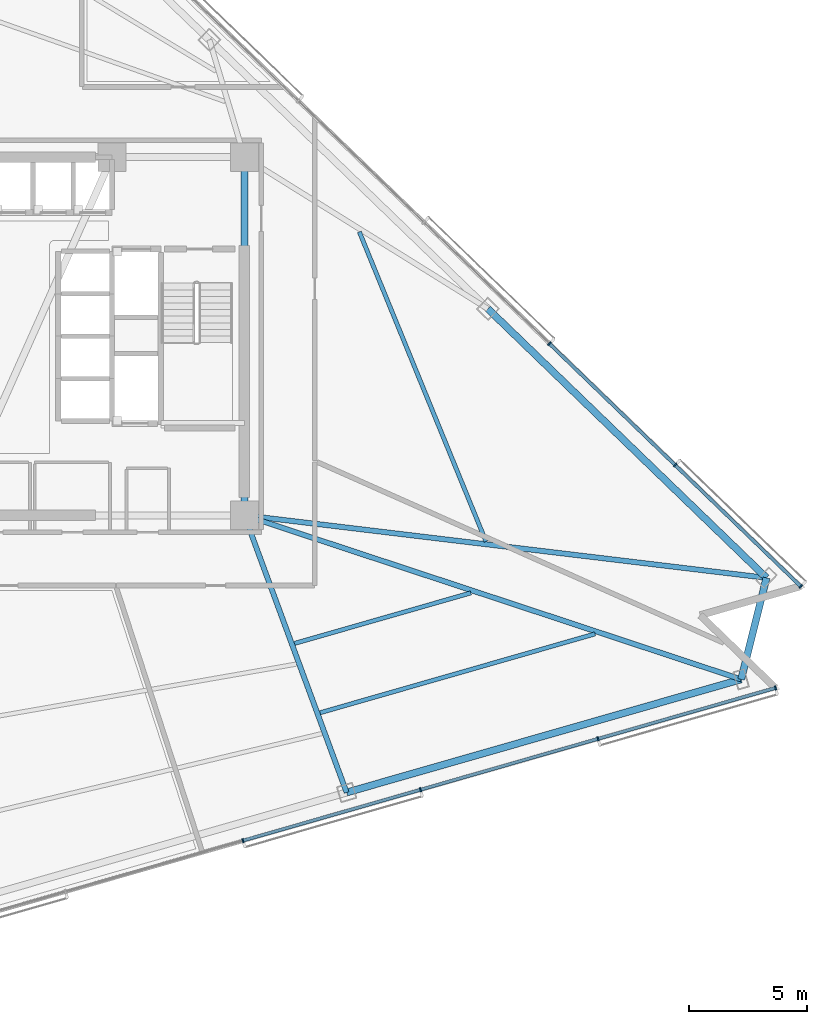
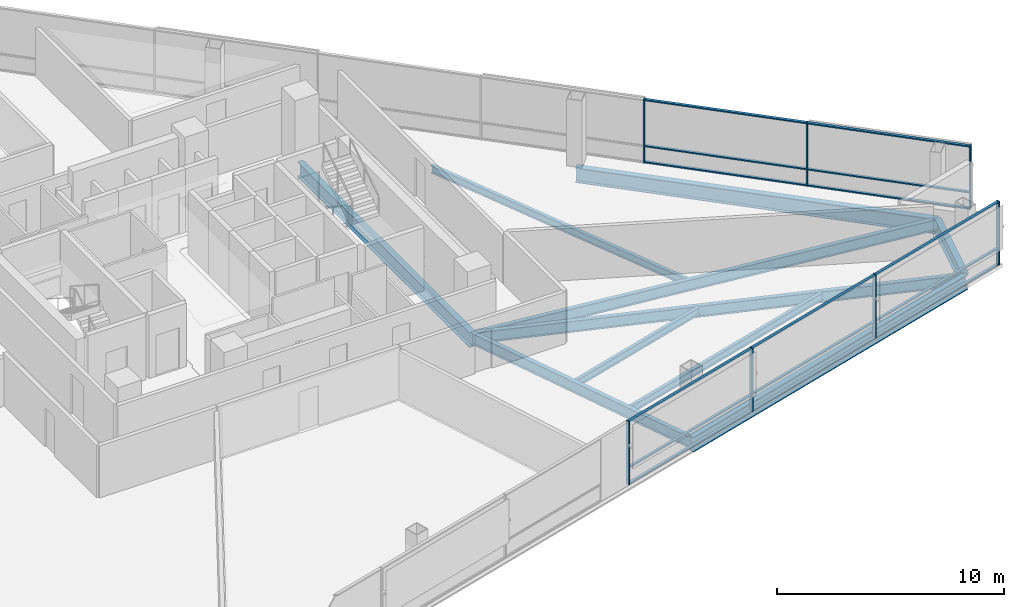
# One storey, part 5 of 17: 22 members, 10 beams, 2 elements without a shape of their own.
"""IFC4 building model written with IfcOpenShell, lengths in metres."""

from ifc_helpers import new_model, si_unit, direction, frame, origin, origin_2d, place, context, subcontext, project, spatial, rectangle, i_section, extrude, material, layer, layer_set, material_profile, profile_set, type_object, element, aggregate, save


model = new_model("IFC4")

# Units and contexts
model_context = context("Model", 3, precision=1e-05, world=origin(), true_north=direction((0.0, 1.0)))
body_context = subcontext(model_context, "Body", "Model", "MODEL_VIEW")
ifc_project = project(units=[si_unit("LENGTHUNIT", "METRE"), si_unit("AREAUNIT", "SQUARE_METRE"), si_unit("VOLUMEUNIT", "CUBIC_METRE"), si_unit("PLANEANGLEUNIT", "RADIAN"), si_unit("MASSUNIT", "GRAM", prefix="KILO")], contexts=[model_context])

# Site, building, storey
site_placement = place(None, origin())
site = spatial("IfcSite", under=ifc_project, at=site_placement, CompositionType="ELEMENT")
building_placement = place(site_placement, origin())
building = spatial("IfcBuilding", under=site, at=building_placement, Name="Tharavind Bronze Gate", CompositionType="ELEMENT")
storey_placement = place(building_placement, frame((0.0, 0.0, 96.89990234375)))
storey = spatial("IfcBuildingStorey", under=building, at=storey_placement, Name="L24", CompositionType="ELEMENT", Elevation=96.89990234375)

# Curtain wall, members
ifc_material_1 = material(Name="Anodised Bronze Aluminium", Category="aluminium")
ifc_layer = layer(ifc_material_1, 0.219970703125)
ifc_layer_set = layer_set([ifc_layer], Name="Anodised Bronze Aluminium")
curtain_wall_type = type_object("IfcCurtainWallType", Name="UNITISED CURTAIN WALL LOWER OFFICE", PredefinedType="USERDEFINED", material=ifc_layer_set)
curtain_wall_1_placement = place(storey_placement, origin())
curtain_wall_1 = element("IfcCurtainWall", 1, at=curtain_wall_1_placement, inside=storey, type_object=curtain_wall_type, Name="L24 unitised curtain wall lower office CW-L24-S2", ObjectType="UNITISED CURTAIN WALL", PredefinedType="USERDEFINED")
member_type_1 = type_object("IfcMemberType", Name="CURTAIN WALL BRONZE MULLION 65X180", PredefinedType="MULLION", material=ifc_material_1)
member_1_placement = place(storey_placement, frame((8.83837890625, -21.406982421875, 0.0), z_axis=(0.0, 0.0, 1.0), x_axis=(0.961261695938, 0.275637355817, 0.0)))
member_1 = element("IfcMember", 2, at=member_1_placement, type_object=member_type_1, Name="CW-L24-S2 mullion 5", PredefinedType="MULLION", context=body_context, shape_type="SweptSolid", body=[
    extrude(rectangle(XDim=0.06494140625, YDim=0.179931640625, at=origin_2d()), origin(), (0.0, 0.0, 1.0), 3.409912109375),
])
member_2_placement = place(storey_placement, frame((16.371826171875, -19.246826171875, 0.0), z_axis=(0.0, 0.0, 1.0), x_axis=(0.961261695938, 0.275637355817, 0.0)))
member_2 = element("IfcMember", 3, at=member_2_placement, type_object=member_type_1, Name="CW-L24-S2 mullion 6", PredefinedType="MULLION", context=body_context, shape_type="SweptSolid", body=[
    extrude(rectangle(XDim=0.06494140625, YDim=0.179931640625, at=origin_2d()), origin(), (0.0, 0.0, 1.0), 3.409912109375),
])
member_3_placement = place(storey_placement, frame((23.9052734375, -17.086669921875, 0.0), z_axis=(0.0, 0.0, 1.0), x_axis=(0.961261695938, 0.275637355817, 0.0)))
member_3 = element("IfcMember", 4, at=member_3_placement, type_object=member_type_1, Name="CW-L24-S2 mullion 7", PredefinedType="MULLION", context=body_context, shape_type="SweptSolid", body=[
    extrude(rectangle(XDim=0.06494140625, YDim=0.179931640625, at=origin_2d()), origin(), (0.0, 0.0, 1.0), 3.409912109375),
])
member_4_placement = place(storey_placement, frame((31.438720703125, -14.926513671875, 0.0), z_axis=(0.0, 0.0, 1.0), x_axis=(0.961261695938, 0.275637355817, 0.0)))
member_4 = element("IfcMember", 5, at=member_4_placement, type_object=member_type_1, Name="CW-L24-S2 mullion 8", PredefinedType="MULLION", context=body_context, shape_type="SweptSolid", body=[
    extrude(rectangle(XDim=0.06494140625, YDim=0.179931640625, at=origin_2d()), origin(), (0.0, 0.0, 1.0), 3.409912109375),
])

curtain_wall_2_placement = place(storey_placement, origin())
curtain_wall_2 = element("IfcCurtainWall", 6, at=curtain_wall_2_placement, inside=storey, type_object=curtain_wall_type, Name="L24 unitised curtain wall lower office CW-L24-S3", ObjectType="UNITISED CURTAIN WALL", PredefinedType="USERDEFINED")
member_5_placement = place(storey_placement, frame((32.512939453125, -10.618408203125, 0.0), z_axis=(0.0, 0.0, 1.0), x_axis=(-0.719341012745, 0.694657114973, 0.0)))
member_5 = element("IfcMember", 7, at=member_5_placement, type_object=member_type_1, Name="CW-L24-S3 mullion 1", PredefinedType="MULLION", context=body_context, shape_type="SweptSolid", body=[
    extrude(rectangle(XDim=0.06494140625, YDim=0.179931640625, at=origin_2d()), origin(), (0.0, 0.0, 1.0), 3.409912109375),
])
member_6_placement = place(storey_placement, frame((27.1796875, -5.468017578125, 0.0), z_axis=(0.0, 0.0, 1.0), x_axis=(-0.719341012745, 0.694657114973, 0.0)))
member_6 = element("IfcMember", 8, at=member_6_placement, type_object=member_type_1, Name="CW-L24-S3 mullion 2", PredefinedType="MULLION", context=body_context, shape_type="SweptSolid", body=[
    extrude(rectangle(XDim=0.06494140625, YDim=0.179931640625, at=origin_2d()), origin(), (0.0, 0.0, 1.0), 3.409912109375),
])
member_7_placement = place(storey_placement, frame((21.84619140625, -0.317626953125, 0.0), z_axis=(0.0, 0.0, 1.0), x_axis=(-0.719341012745, 0.694657114973, 0.0)))
member_7 = element("IfcMember", 9, at=member_7_placement, type_object=member_type_1, Name="CW-L24-S3 mullion 3", PredefinedType="MULLION", context=body_context, shape_type="SweptSolid", body=[
    extrude(rectangle(XDim=0.06494140625, YDim=0.179931640625, at=origin_2d()), origin(), (0.0, 0.0, 1.0), 3.409912109375),
])

# Member
member_type_2 = type_object("IfcMemberType", Name="CURTAIN WALL BRONZE TRANSOM 65X140", PredefinedType="USERDEFINED", material=ifc_material_1)
member_8_placement = place(storey_placement, frame((12.60498046875, -20.326904296875, 0.000244140625), z_axis=(0.0, 0.0, 1.0), x_axis=(0.961261695938, 0.275637355817, 0.0)))
member_8 = element("IfcMember", 10, at=member_8_placement, type_object=member_type_2, Name="CW-L24-S2 transom TB5", ObjectType="TRANSOM", PredefinedType="USERDEFINED", context=body_context, shape_type="SweptSolid", body=[
    extrude(rectangle(XDim=7.7841796875, YDim=0.139892578125, at=origin_2d()), origin(), (0.0, 0.0, 1.0), 0.06494140625),
])

member_9_placement = place(storey_placement, frame((12.60498046875, -20.326904296875, 0.86767578125), z_axis=(0.0, 0.0, 1.0), x_axis=(0.961261695938, 0.275637355817, 0.0)))
member_9 = element("IfcMember", 11, at=member_9_placement, type_object=member_type_2, Name="CW-L24-S2 transom TS5", ObjectType="TRANSOM", PredefinedType="USERDEFINED", context=body_context, shape_type="SweptSolid", body=[
    extrude(rectangle(XDim=7.7841796875, YDim=0.139892578125, at=origin_2d()), origin(), (0.0, 0.0, 1.0), 0.06494140625),
])

member_10_placement = place(storey_placement, frame((12.60498046875, -20.326904296875, 3.34521484375), z_axis=(0.0, 0.0, 1.0), x_axis=(0.961261695938, 0.275637355817, 0.0)))
member_10 = element("IfcMember", 12, at=member_10_placement, type_object=member_type_2, Name="CW-L24-S2 transom TT5", ObjectType="TRANSOM", PredefinedType="USERDEFINED", context=body_context, shape_type="SweptSolid", body=[
    extrude(rectangle(XDim=7.7841796875, YDim=0.139892578125, at=origin_2d()), origin(), (0.0, 0.0, 1.0), 0.06494140625),
])

member_11_placement = place(storey_placement, frame((20.138671875, -18.166748046875, 0.000244140625), z_axis=(0.0, 0.0, 1.0), x_axis=(0.961261695938, 0.275637355817, 0.0)))
member_11 = element("IfcMember", 13, at=member_11_placement, type_object=member_type_2, Name="CW-L24-S2 transom TB6", ObjectType="TRANSOM", PredefinedType="USERDEFINED", context=body_context, shape_type="SweptSolid", body=[
    extrude(rectangle(XDim=7.7841796875, YDim=0.139892578125, at=origin_2d()), origin(), (0.0, 0.0, 1.0), 0.06494140625),
])

member_12_placement = place(storey_placement, frame((20.138671875, -18.166748046875, 0.86767578125), z_axis=(0.0, 0.0, 1.0), x_axis=(0.961261695938, 0.275637355817, 0.0)))
member_12 = element("IfcMember", 14, at=member_12_placement, type_object=member_type_2, Name="CW-L24-S2 transom TS6", ObjectType="TRANSOM", PredefinedType="USERDEFINED", context=body_context, shape_type="SweptSolid", body=[
    extrude(rectangle(XDim=7.7841796875, YDim=0.139892578125, at=origin_2d()), origin(), (0.0, 0.0, 1.0), 0.06494140625),
])

member_13_placement = place(storey_placement, frame((20.138671875, -18.166748046875, 3.34521484375), z_axis=(0.0, 0.0, 1.0), x_axis=(0.961261695938, 0.275637355817, 0.0)))
member_13 = element("IfcMember", 15, at=member_13_placement, type_object=member_type_2, Name="CW-L24-S2 transom TT6", ObjectType="TRANSOM", PredefinedType="USERDEFINED", context=body_context, shape_type="SweptSolid", body=[
    extrude(rectangle(XDim=7.7841796875, YDim=0.139892578125, at=origin_2d()), origin(), (0.0, 0.0, 1.0), 0.06494140625),
])

member_14_placement = place(storey_placement, frame((27.672119140625, -16.006591796875, 0.000244140625), z_axis=(0.0, 0.0, 1.0), x_axis=(0.961261695938, 0.275637355817, 0.0)))
member_14 = element("IfcMember", 16, at=member_14_placement, type_object=member_type_2, Name="CW-L24-S2 transom TB7", ObjectType="TRANSOM", PredefinedType="USERDEFINED", context=body_context, shape_type="SweptSolid", body=[
    extrude(rectangle(XDim=7.7841796875, YDim=0.139892578125, at=origin_2d()), origin(), (0.0, 0.0, 1.0), 0.06494140625),
])

member_15_placement = place(storey_placement, frame((27.672119140625, -16.006591796875, 0.86767578125), z_axis=(0.0, 0.0, 1.0), x_axis=(0.961261695938, 0.275637355817, 0.0)))
member_15 = element("IfcMember", 17, at=member_15_placement, type_object=member_type_2, Name="CW-L24-S2 transom TS7", ObjectType="TRANSOM", PredefinedType="USERDEFINED", context=body_context, shape_type="SweptSolid", body=[
    extrude(rectangle(XDim=7.7841796875, YDim=0.139892578125, at=origin_2d()), origin(), (0.0, 0.0, 1.0), 0.06494140625),
])

member_16_placement = place(storey_placement, frame((27.672119140625, -16.006591796875, 3.34521484375), z_axis=(0.0, 0.0, 1.0), x_axis=(0.961261695938, 0.275637355817, 0.0)))
member_16 = element("IfcMember", 18, at=member_16_placement, type_object=member_type_2, Name="CW-L24-S2 transom TT7", ObjectType="TRANSOM", PredefinedType="USERDEFINED", context=body_context, shape_type="SweptSolid", body=[
    extrude(rectangle(XDim=7.7841796875, YDim=0.139892578125, at=origin_2d()), origin(), (0.0, 0.0, 1.0), 0.06494140625),
])

aggregate(curtain_wall_1, [member_1, member_2, member_3, member_4, member_8, member_9, member_10, member_11, member_12, member_13, member_14, member_15, member_16])

member_17_placement = place(storey_placement, frame((29.84619140625, -8.043212890625, 0.000244140625), z_axis=(0.0, 0.0, 1.0), x_axis=(-0.719341012745, 0.694657114973, 0.0)))
member_17 = element("IfcMember", 19, at=member_17_placement, type_object=member_type_2, Name="CW-L24-S3 transom TB1", ObjectType="TRANSOM", PredefinedType="USERDEFINED", context=body_context, shape_type="SweptSolid", body=[
    extrude(rectangle(XDim=7.361083984375, YDim=0.139892578125, at=origin_2d()), origin(), (0.0, 0.0, 1.0), 0.06494140625),
])

member_18_placement = place(storey_placement, frame((29.84619140625, -8.043212890625, 0.86767578125), z_axis=(0.0, 0.0, 1.0), x_axis=(-0.719341012745, 0.694657114973, 0.0)))
member_18 = element("IfcMember", 20, at=member_18_placement, type_object=member_type_2, Name="CW-L24-S3 transom TS1", ObjectType="TRANSOM", PredefinedType="USERDEFINED", context=body_context, shape_type="SweptSolid", body=[
    extrude(rectangle(XDim=7.361083984375, YDim=0.139892578125, at=origin_2d()), origin(), (0.0, 0.0, 1.0), 0.06494140625),
])

member_19_placement = place(storey_placement, frame((29.84619140625, -8.043212890625, 3.34521484375), z_axis=(0.0, 0.0, 1.0), x_axis=(-0.719341012745, 0.694657114973, 0.0)))
member_19 = element("IfcMember", 21, at=member_19_placement, type_object=member_type_2, Name="CW-L24-S3 transom TT1", ObjectType="TRANSOM", PredefinedType="USERDEFINED", context=body_context, shape_type="SweptSolid", body=[
    extrude(rectangle(XDim=7.361083984375, YDim=0.139892578125, at=origin_2d()), origin(), (0.0, 0.0, 1.0), 0.06494140625),
])

member_20_placement = place(storey_placement, frame((24.512939453125, -2.892822265625, 0.000244140625), z_axis=(0.0, 0.0, 1.0), x_axis=(-0.719341012745, 0.694657114973, 0.0)))
member_20 = element("IfcMember", 22, at=member_20_placement, type_object=member_type_2, Name="CW-L24-S3 transom TB2", ObjectType="TRANSOM", PredefinedType="USERDEFINED", context=body_context, shape_type="SweptSolid", body=[
    extrude(rectangle(XDim=7.361083984375, YDim=0.139892578125, at=origin_2d()), origin(), (0.0, 0.0, 1.0), 0.06494140625),
])

member_21_placement = place(storey_placement, frame((24.512939453125, -2.892822265625, 0.86767578125), z_axis=(0.0, 0.0, 1.0), x_axis=(-0.719341012745, 0.694657114973, 0.0)))
member_21 = element("IfcMember", 23, at=member_21_placement, type_object=member_type_2, Name="CW-L24-S3 transom TS2", ObjectType="TRANSOM", PredefinedType="USERDEFINED", context=body_context, shape_type="SweptSolid", body=[
    extrude(rectangle(XDim=7.361083984375, YDim=0.139892578125, at=origin_2d()), origin(), (0.0, 0.0, 1.0), 0.06494140625),
])

member_22_placement = place(storey_placement, frame((24.512939453125, -2.892822265625, 3.34521484375), z_axis=(0.0, 0.0, 1.0), x_axis=(-0.719341012745, 0.694657114973, 0.0)))
member_22 = element("IfcMember", 24, at=member_22_placement, type_object=member_type_2, Name="CW-L24-S3 transom TT2", ObjectType="TRANSOM", PredefinedType="USERDEFINED", context=body_context, shape_type="SweptSolid", body=[
    extrude(rectangle(XDim=7.361083984375, YDim=0.139892578125, at=origin_2d()), origin(), (0.0, 0.0, 1.0), 0.06494140625),
])

aggregate(curtain_wall_2, [member_5, member_6, member_7, member_17, member_18, member_19, member_20, member_21, member_22])

# Beams
ifc_material_2 = material(Name="Steel S355", Category="steel")
ifc_material_profile_1 = material_profile(ifc_material_2, i_section(OverallWidth=0.219970703125, OverallDepth=0.60009765625, WebThickness=0.011962890625, FlangeThickness=0.01904296875, at=origin_2d()), Name="IPE600")
ifc_profile_set_1 = profile_set([ifc_material_profile_1], Name="Steel S355")
beam_type_1 = type_object("IfcBeamType", Name="PRIMARY GIRDER IPE600", PredefinedType="USERDEFINED", material=ifc_profile_set_1)
beam_1_placement = place(storey_placement, frame((13.23779296875, -19.365234375, -0.489990234375), z_axis=(-0.345941741317, 0.938255994713, 0.0), x_axis=(-0.938255994713, -0.345941741317, 0.0)))
element("IfcBeam", 25, at=beam_1_placement, inside=storey, type_object=beam_type_1, Name="L24 primary girder ipe600 BM-L24-RAD07", ObjectType="GIRDER", PredefinedType="USERDEFINED", context=body_context, shape_type="SweptSolid", body=[
    extrude(i_section(OverallWidth=0.219970703125, OverallDepth=0.60009765625, WebThickness=0.011962890625, FlangeThickness=0.01904296875, at=origin_2d()), origin(), (0.0, 0.0, 1.0), 12.539306640625),
])
beam_2_placement = place(storey_placement, frame((29.9833984375, -14.563720703125, -0.489990234375), z_axis=(-0.949547271017, 0.313623946956, 0.0), x_axis=(-0.313623946956, -0.949547271017, 0.0)))
element("IfcBeam", 26, at=beam_2_placement, inside=storey, type_object=beam_type_1, Name="L24 primary girder ipe600 BM-L24-RAD08", ObjectType="GIRDER", PredefinedType="USERDEFINED", context=body_context, shape_type="SweptSolid", body=[
    extrude(i_section(OverallWidth=0.219970703125, OverallDepth=0.60009765625, WebThickness=0.011962890625, FlangeThickness=0.01904296875, at=origin_2d()), origin(), (0.0, 0.0, 1.0), 22.20361328125),
])
beam_3_placement = place(storey_placement, frame((31.0576171875, -10.255615234375, -0.489990234375), z_axis=(-0.992894893645, 0.118994664472, 0.0), x_axis=(-0.118994664472, -0.992894893645, 0.0)))
element("IfcBeam", 27, at=beam_3_placement, inside=storey, type_object=beam_type_1, Name="L24 primary girder ipe600 BM-L24-RAD09", ObjectType="GIRDER", PredefinedType="USERDEFINED", context=body_context, shape_type="SweptSolid", body=[
    extrude(i_section(OverallWidth=0.219970703125, OverallDepth=0.60009765625, WebThickness=0.011962890625, FlangeThickness=0.01904296875, at=origin_2d()), origin(), (0.0, 0.0, 1.0), 22.316162109375),
])
ifc_material_profile_2 = material_profile(ifc_material_2, i_section(OverallWidth=0.300048828125, OverallDepth=0.800048828125, WebThickness=0.017578125, FlangeThickness=0.032958984375, at=origin_2d()), Name="HE800B")
ifc_profile_set_2 = profile_set([ifc_material_profile_2], Name="Steel S355")
beam_type_2 = type_object("IfcBeamType", Name="RING GIRDER HE800B", PredefinedType="USERDEFINED", material=ifc_profile_set_2)
beam_4_placement = place(storey_placement, frame((8.89990234375, -7.60009765625, -0.58984375), z_axis=(0.0, 1.0, 0.0), x_axis=(-1.0, 0.0, 0.0)))
element("IfcBeam", 28, at=beam_4_placement, inside=storey, type_object=beam_type_2, Name="L24 ring girder he800b BM-L24-CR3", ObjectType="GIRDER", PredefinedType="USERDEFINED", context=body_context, shape_type="SweptSolid", body=[
    extrude(i_section(OverallWidth=0.300048828125, OverallDepth=0.800048828125, WebThickness=0.017578125, FlangeThickness=0.032958984375, at=origin_2d()), origin(), (0.0, 0.0, 1.0), 15.2001953125),
])
beam_5_placement = place(storey_placement, frame((13.23779296875, -19.365234375, -0.58984375), z_axis=(0.961264911639, 0.275626141088, 0.0), x_axis=(-0.275626141088, 0.961264911639, 0.0)))
element("IfcBeam", 29, at=beam_5_placement, inside=storey, type_object=beam_type_2, Name="L24 ring girder he800b BM-L24-PRG07", ObjectType="GIRDER", PredefinedType="USERDEFINED", context=body_context, shape_type="SweptSolid", body=[
    extrude(i_section(OverallWidth=0.300048828125, OverallDepth=0.800048828125, WebThickness=0.017578125, FlangeThickness=0.032958984375, at=origin_2d()), origin(), (0.0, 0.0, 1.0), 17.42041015625),
])
beam_6_placement = place(storey_placement, frame((29.9833984375, -14.563720703125, -0.58984375), z_axis=(0.241940431812, 0.970291104491, 0.0), x_axis=(-0.970291104491, 0.241940431812, 0.0)))
element("IfcBeam", 30, at=beam_6_placement, inside=storey, type_object=beam_type_2, Name="L24 ring girder he800b BM-L24-PRG08", ObjectType="GIRDER", PredefinedType="USERDEFINED", context=body_context, shape_type="SweptSolid", body=[
    extrude(i_section(OverallWidth=0.300048828125, OverallDepth=0.800048828125, WebThickness=0.017578125, FlangeThickness=0.032958984375, at=origin_2d()), origin(), (0.0, 0.0, 1.0), 4.43994140625),
])
beam_7_placement = place(storey_placement, frame((31.0576171875, -10.255615234375, -0.58984375), z_axis=(-0.719336950964, 0.694661321061, 0.0), x_axis=(-0.694661321061, -0.719336950964, 0.0)))
element("IfcBeam", 31, at=beam_7_placement, inside=storey, type_object=beam_type_2, Name="L24 ring girder he800b BM-L24-PRG09", ObjectType="GIRDER", PredefinedType="USERDEFINED", context=body_context, shape_type="SweptSolid", body=[
    extrude(i_section(OverallWidth=0.300048828125, OverallDepth=0.800048828125, WebThickness=0.017578125, FlangeThickness=0.032958984375, at=origin_2d()), origin(), (0.0, 0.0, 1.0), 16.433837890625),
])
ifc_material_profile_3 = material_profile(ifc_material_2, i_section(OverallWidth=0.179931640625, OverallDepth=0.39990234375, WebThickness=0.008544921875, FlangeThickness=0.013427734375, at=origin_2d()), Name="IPE400")
ifc_profile_set_3 = profile_set([ifc_material_profile_3], Name="Steel S355")
beam_type_3 = type_object("IfcBeamType", Name="SECONDARY FLOOR JOIST IPE400", PredefinedType="JOIST", material=ifc_profile_set_3)
beam_8_placement = place(storey_placement, frame((11.027099609375, -13.039306640625, -0.389892578125), z_axis=(0.961264410597, 0.275627888501, 0.0), x_axis=(-0.275627888501, 0.961264410597, 0.0)))
element("IfcBeam", 32, at=beam_8_placement, inside=storey, type_object=beam_type_3, Name="L24 secondary floor joist ipe400 BM-L24-JSTA07", PredefinedType="JOIST", context=body_context, shape_type="SweptSolid", body=[
    extrude(i_section(OverallWidth=0.179931640625, OverallDepth=0.39990234375, WebThickness=0.008544921875, FlangeThickness=0.013427734375, at=origin_2d()), origin(), (0.0, 0.0, 1.0), 7.78662109375),
])
beam_9_placement = place(storey_placement, frame((12.111328125, -15.980712890625, -0.389892578125), z_axis=(0.961258694637, 0.275647822385, 0.0), x_axis=(-0.275647822385, 0.961258694637, 0.0)))
element("IfcBeam", 33, at=beam_9_placement, inside=storey, type_object=beam_type_3, Name="L24 secondary floor joist ipe400 BM-L24-JSTB07", PredefinedType="JOIST", context=body_context, shape_type="SweptSolid", body=[
    extrude(i_section(OverallWidth=0.179931640625, OverallDepth=0.39990234375, WebThickness=0.008544921875, FlangeThickness=0.013427734375, at=origin_2d()), origin(), (0.0, 0.0, 1.0), 12.14208984375),
])
beam_10_placement = place(storey_placement, frame((19.154052734375, -8.714599609375, -0.389892578125), z_axis=(-0.378556522094, 0.925578175834, 0.0), x_axis=(-0.925578175834, -0.378556522094, 0.0)))
element("IfcBeam", 34, at=beam_10_placement, inside=storey, type_object=beam_type_3, Name="L24 secondary floor joist ipe400 BM-L24-JSTA09", PredefinedType="JOIST", context=body_context, shape_type="SweptSolid", body=[
    extrude(i_section(OverallWidth=0.179931640625, OverallDepth=0.39990234375, WebThickness=0.008544921875, FlangeThickness=0.013427734375, at=origin_2d()), origin(), (0.0, 0.0, 1.0), 14.19921875),
])

save(model, "model.ifc")
